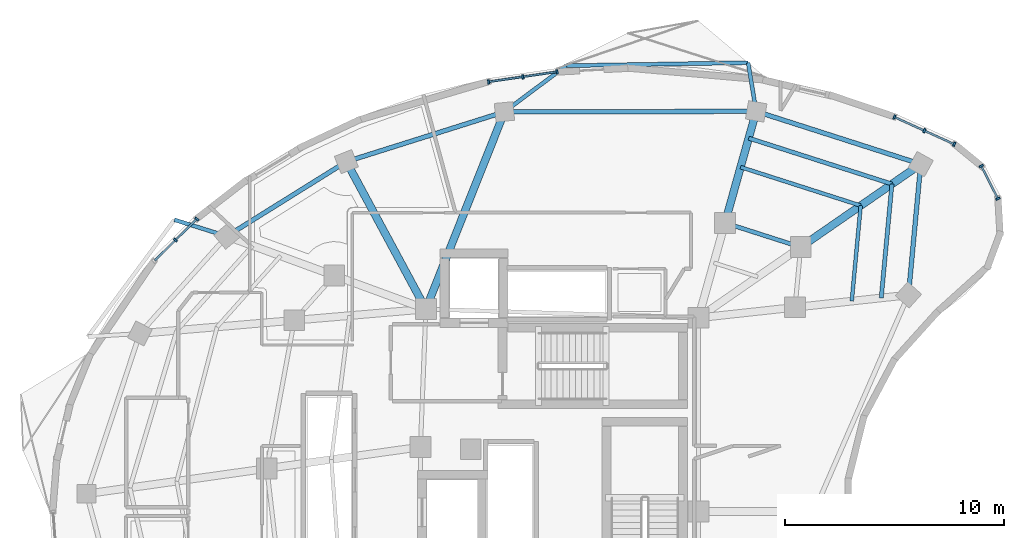
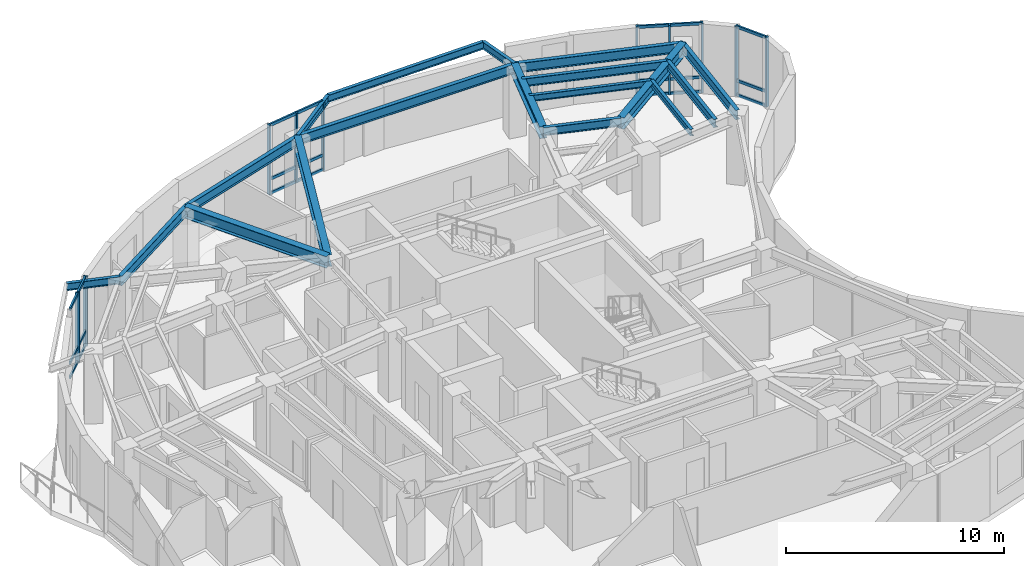
# One storey, part 5 of 14: 31 members, 18 beams, 4 elements without a shape of their own.
"""IFC4 building model written with IfcOpenShell, lengths in metres."""

from ifc_helpers import new_model, si_unit, direction, frame, origin, origin_2d, place, context, subcontext, project, spatial, rectangle, i_section, extrude, material, layer, layer_set, material_profile, profile_set, type_object, element, aggregate, save


model = new_model("IFC4")

# Units and contexts
model_context = context("Model", 3, precision=1e-05, world=origin(), true_north=direction((0.0, 1.0)))
body_context = subcontext(model_context, "Body", "Model", "MODEL_VIEW")
ifc_project = project(units=[si_unit("LENGTHUNIT", "METRE"), si_unit("AREAUNIT", "SQUARE_METRE"), si_unit("VOLUMEUNIT", "CUBIC_METRE"), si_unit("PLANEANGLEUNIT", "RADIAN"), si_unit("MASSUNIT", "GRAM", prefix="KILO")], contexts=[model_context])

# Site, building, storey
site_placement = place(None, origin())
site = spatial("IfcSite", under=ifc_project, at=site_placement, CompositionType="ELEMENT")
building_placement = place(site_placement, origin())
building = spatial("IfcBuilding", under=site, at=building_placement, Name="Korentha Bioscience Tower", CompositionType="ELEMENT")
storey_placement = place(building_placement, frame((0.0, 0.0, 264.60009765625)))
storey = spatial("IfcBuildingStorey", under=building, at=storey_placement, Name="L61", CompositionType="ELEMENT", Elevation=264.60009765625)

# Beam
ifc_material_1 = material(Name="Steel S355", Category="steel")
ifc_material_profile_1 = material_profile(ifc_material_1, i_section(OverallWidth=0.18994140625, OverallDepth=0.45703125, WebThickness=0.009033203125, FlangeThickness=0.014404296875, at=origin_2d()), Name="Steel S355")
ifc_profile_set_1 = profile_set([ifc_material_profile_1], Name="Steel S355 (MB-460)")
beam_type_1 = type_object("IfcBeamType", Name="Mid-Ring Tie Girder W460x74", PredefinedType="BEAM", material=ifc_profile_set_1)
beam_1_placement = place(storey_placement, frame((42.2216796875, 39.08056640625, 3.67138671875), z_axis=(-0.952264747125, 0.305273404318, 0.0), x_axis=(-0.305273404318, -0.952264747125, 0.0)))
element("IfcBeam", 1, at=beam_1_placement, inside=storey, type_object=beam_type_1, Name="L61 Mid-Ring Tie Girder 01", PredefinedType="BEAM", context=body_context, shape_type="SweptSolid", body=[
    extrude(i_section(OverallWidth=0.18994140625, OverallDepth=0.45703125, WebThickness=0.009033203125, FlangeThickness=0.014404296875, at=origin_2d()), origin(), (0.0, 0.0, 1.0), 3.630859375),
])

# Curtain wall, members
ifc_material_2 = material(Name="Thermally Broken Aluminium Frame", Category="aluminium")
ifc_layer = layer(ifc_material_2, 0.219970703125, Name="Thermally Broken Aluminium Frame")
ifc_layer_set = layer_set([ifc_layer], Name="Thermally Broken Aluminium Frame (CW-T1)")
curtain_wall_type = type_object("IfcCurtainWallType", Name="Standard Bioscience Lab Unitised Curtain Wall CW-T1", PredefinedType="USERDEFINED", material=ifc_layer_set)
curtain_wall_1_placement = place(storey_placement, origin())
curtain_wall_1 = element("IfcCurtainWall", 2, at=curtain_wall_1_placement, inside=storey, type_object=curtain_wall_type, Name="L61 Curtain Wall 01", ObjectType="UNITISED", PredefinedType="USERDEFINED")
ifc_material_3 = material(Name="Anodised Aluminium 6063-T6", Category="aluminium")
ifc_material_profile_2 = material_profile(ifc_material_3, rectangle(XDim=0.090087890625, YDim=0.199951171875, at=origin_2d()), Name="Anodised Aluminium 6063-T6")
ifc_profile_set_2 = profile_set([ifc_material_profile_2], Name="Anodised Aluminium 6063-T6 (CW-MUL)")
member_type_1 = type_object("IfcMemberType", Name="Mullion RECT 90x200", PredefinedType="MULLION", material=ifc_profile_set_2)
member_1_placement = place(storey_placement, frame((49.239501953125, 43.780517578125, 0.0), z_axis=(0.0, 0.0, 1.0), x_axis=(-0.910604060449, 0.413279862918, 0.0)))
member_1 = element("IfcMember", 3, at=member_1_placement, type_object=member_type_1, Name="CW-L61-01 Mullion 1", PredefinedType="MULLION", context=body_context, shape_type="SweptSolid", body=[
    extrude(rectangle(XDim=0.090087890625, YDim=0.199951171875, at=origin_2d()), origin(), (0.0, 0.0, 1.0), 3.89990234375),
])
member_2_placement = place(storey_placement, frame((47.870361328125, 44.40185546875, 0.0), z_axis=(0.0, 0.0, 1.0), x_axis=(-0.910604060449, 0.413279862918, 0.0)))
member_2 = element("IfcMember", 4, at=member_2_placement, type_object=member_type_1, Name="CW-L61-01 Mullion 2", PredefinedType="MULLION", context=body_context, shape_type="SweptSolid", body=[
    extrude(rectangle(XDim=0.090087890625, YDim=0.199951171875, at=origin_2d()), origin(), (0.0, 0.0, 1.0), 3.89990234375),
])
member_3_placement = place(storey_placement, frame((46.501220703125, 45.023193359375, 0.0), z_axis=(0.0, 0.0, 1.0), x_axis=(-0.910604060449, 0.413279862918, 0.0)))
member_3 = element("IfcMember", 5, at=member_3_placement, type_object=member_type_1, Name="CW-L61-01 Mullion 3", PredefinedType="MULLION", context=body_context, shape_type="SweptSolid", body=[
    extrude(rectangle(XDim=0.090087890625, YDim=0.199951171875, at=origin_2d()), origin(), (0.0, 0.0, 1.0), 3.89990234375),
])

curtain_wall_2_placement = place(storey_placement, origin())
curtain_wall_2 = element("IfcCurtainWall", 6, at=curtain_wall_2_placement, inside=storey, type_object=curtain_wall_type, Name="L61 Curtain Wall 07", ObjectType="UNITISED", PredefinedType="USERDEFINED")
member_4_placement = place(storey_placement, frame((31.091064453125, 47.087890625, 0.0), z_axis=(0.0, 0.0, 1.0), x_axis=(-0.989459665324, -0.144808738328, 0.0)))
member_4 = element("IfcMember", 7, at=member_4_placement, type_object=member_type_1, Name="CW-L61-07 Mullion 1", PredefinedType="MULLION", context=body_context, shape_type="SweptSolid", body=[
    extrude(rectangle(XDim=0.090087890625, YDim=0.199951171875, at=origin_2d()), origin(), (0.0, 0.0, 1.0), 3.89990234375),
])
member_5_placement = place(storey_placement, frame((29.52880859375, 46.859375, 0.0), z_axis=(0.0, 0.0, 1.0), x_axis=(-0.989459665324, -0.144808738328, 0.0)))
member_5 = element("IfcMember", 8, at=member_5_placement, type_object=member_type_1, Name="CW-L61-07 Mullion 2", PredefinedType="MULLION", context=body_context, shape_type="SweptSolid", body=[
    extrude(rectangle(XDim=0.090087890625, YDim=0.199951171875, at=origin_2d()), origin(), (0.0, 0.0, 1.0), 3.89990234375),
])
member_6_placement = place(storey_placement, frame((27.966552734375, 46.630615234375, 0.0), z_axis=(0.0, 0.0, 1.0), x_axis=(-0.989459665324, -0.144808738328, 0.0)))
member_6 = element("IfcMember", 9, at=member_6_placement, type_object=member_type_1, Name="CW-L61-07 Mullion 3", PredefinedType="MULLION", context=body_context, shape_type="SweptSolid", body=[
    extrude(rectangle(XDim=0.090087890625, YDim=0.199951171875, at=origin_2d()), origin(), (0.0, 0.0, 1.0), 3.89990234375),
])

curtain_wall_3_placement = place(storey_placement, origin())
curtain_wall_3 = element("IfcCurtainWall", 10, at=curtain_wall_3_placement, inside=storey, type_object=curtain_wall_type, Name="L61 Curtain Wall 13", ObjectType="UNITISED", PredefinedType="USERDEFINED")
member_7_placement = place(storey_placement, frame((14.6328125, 40.364990234375, 0.0), z_axis=(0.0, 0.0, 1.0), x_axis=(-0.711397700041, -0.702789664392, 0.0)))
member_7 = element("IfcMember", 11, at=member_7_placement, type_object=member_type_1, Name="CW-L61-13 Mullion 1", PredefinedType="MULLION", context=body_context, shape_type="SweptSolid", body=[
    extrude(rectangle(XDim=0.090087890625, YDim=0.199951171875, at=origin_2d()), origin(), (0.0, 0.0, 1.0), 3.89990234375),
])
member_8_placement = place(storey_placement, frame((13.656494140625, 39.400390625, 0.0), z_axis=(0.0, 0.0, 1.0), x_axis=(-0.711397700041, -0.702789664392, 0.0)))
member_8 = element("IfcMember", 12, at=member_8_placement, type_object=member_type_1, Name="CW-L61-13 Mullion 2", PredefinedType="MULLION", context=body_context, shape_type="SweptSolid", body=[
    extrude(rectangle(XDim=0.090087890625, YDim=0.199951171875, at=origin_2d()), origin(), (0.0, 0.0, 1.0), 3.89990234375),
])

curtain_wall_4_placement = place(storey_placement, origin())
curtain_wall_4 = element("IfcCurtainWall", 13, at=curtain_wall_4_placement, inside=storey, type_object=curtain_wall_type, Name="L61 Curtain Wall 61", ObjectType="UNITISED", PredefinedType="USERDEFINED")
member_9_placement = place(storey_placement, frame((51.231201171875, 41.293212890625, 0.0), z_axis=(0.0, 0.0, 1.0), x_axis=(-0.454238686477, 0.890880023184, 0.0)))
member_9 = element("IfcMember", 14, at=member_9_placement, type_object=member_type_1, Name="CW-L61-61 Mullion 1", PredefinedType="MULLION", context=body_context, shape_type="SweptSolid", body=[
    extrude(rectangle(XDim=0.090087890625, YDim=0.199951171875, at=origin_2d()), origin(), (0.0, 0.0, 1.0), 3.89990234375),
])
member_10_placement = place(storey_placement, frame((50.471923828125, 42.782470703125, 0.0), z_axis=(0.0, 0.0, 1.0), x_axis=(-0.454238686477, 0.890880023184, 0.0)))
member_10 = element("IfcMember", 15, at=member_10_placement, type_object=member_type_1, Name="CW-L61-61 Mullion 2", PredefinedType="MULLION", context=body_context, shape_type="SweptSolid", body=[
    extrude(rectangle(XDim=0.090087890625, YDim=0.199951171875, at=origin_2d()), origin(), (0.0, 0.0, 1.0), 3.89990234375),
])

# Beams
ifc_material_profile_3 = material_profile(ifc_material_1, i_section(OverallWidth=0.208984375, OverallDepth=0.532958984375, WebThickness=0.01025390625, FlangeThickness=0.015625, at=origin_2d()), Name="Steel S355")
ifc_profile_set_3 = profile_set([ifc_material_profile_3], Name="Steel S355 (SB-530)")
beam_type_2 = type_object("IfcBeamType", Name="Perimeter Ring Spandrel Girder W530x92", PredefinedType="SPANDREL", material=ifc_profile_set_3)
beam_2_placement = place(storey_placement, frame((47.7060546875, 42.873046875, 3.63330078125), z_axis=(-0.952281827014, 0.305220120468, 0.0), x_axis=(-0.305220120468, -0.952281827014, 0.0)))
element("IfcBeam", 16, at=beam_2_placement, inside=storey, type_object=beam_type_2, Name="L61 Perimeter Spandrel Girder 01", PredefinedType="SPANDREL", context=body_context, shape_type="SweptSolid", body=[
    extrude(i_section(OverallWidth=0.208984375, OverallDepth=0.532958984375, WebThickness=0.01025390625, FlangeThickness=0.015625, at=origin_2d()), origin(), (0.0, 0.0, 1.0), 7.893310546875),
])
beam_3_placement = place(storey_placement, frame((40.189453125, 45.2822265625, 3.63330078125), z_axis=(-0.999998255351, -0.001867965325, 0.0), x_axis=(0.001867965325, -0.999998255351, 0.0)))
element("IfcBeam", 17, at=beam_3_placement, inside=storey, type_object=beam_type_2, Name="L61 Perimeter Spandrel Girder 02", PredefinedType="SPANDREL", context=body_context, shape_type="SweptSolid", body=[
    extrude(i_section(OverallWidth=0.208984375, OverallDepth=0.532958984375, WebThickness=0.01025390625, FlangeThickness=0.015625, at=origin_2d()), origin(), (0.0, 0.0, 1.0), 11.50146484375),
])
beam_4_placement = place(storey_placement, frame((28.68798828125, 45.2607421875, 3.63330078125), z_axis=(-0.953788154386, -0.300479877118, 0.0), x_axis=(0.300479877118, -0.953788154386, 0.0)))
element("IfcBeam", 18, at=beam_4_placement, inside=storey, type_object=beam_type_2, Name="L61 Perimeter Spandrel Girder 03", PredefinedType="SPANDREL", context=body_context, shape_type="SweptSolid", body=[
    extrude(i_section(OverallWidth=0.208984375, OverallDepth=0.532958984375, WebThickness=0.01025390625, FlangeThickness=0.015625, at=origin_2d()), origin(), (0.0, 0.0, 1.0), 7.5693359375),
])
beam_5_placement = place(storey_placement, frame((21.468505859375, 42.986328125, 3.63330078125), z_axis=(-0.848585501162, -0.529058264482, 0.0), x_axis=(0.529058264482, -0.848585501162, 0.0)))
element("IfcBeam", 19, at=beam_5_placement, inside=storey, type_object=beam_type_2, Name="L61 Perimeter Spandrel Girder 04", PredefinedType="SPANDREL", context=body_context, shape_type="SweptSolid", body=[
    extrude(i_section(OverallWidth=0.208984375, OverallDepth=0.532958984375, WebThickness=0.01025390625, FlangeThickness=0.015625, at=origin_2d()), origin(), (0.0, 0.0, 1.0), 6.441162109375),
])
beam_6_placement = place(storey_placement, frame((47.1455078125, 36.8955078125, 3.63330078125), z_axis=(0.093365902602, 0.995631863809, 0.0), x_axis=(-0.995631863809, 0.093365902602, 0.0)))
element("IfcBeam", 20, at=beam_6_placement, inside=storey, type_object=beam_type_2, Name="L61 Perimeter Spandrel Girder 16", PredefinedType="SPANDREL", context=body_context, shape_type="SweptSolid", body=[
    extrude(i_section(OverallWidth=0.208984375, OverallDepth=0.532958984375, WebThickness=0.01025390625, FlangeThickness=0.015625, at=origin_2d()), origin(), (0.0, 0.0, 1.0), 6.003662109375),
])
ifc_material_profile_4 = material_profile(ifc_material_1, i_section(OverallWidth=0.18994140625, OverallDepth=0.45703125, WebThickness=0.009033203125, FlangeThickness=0.014404296875, at=origin_2d()), Name="Steel S355")
ifc_profile_set_4 = profile_set([ifc_material_profile_4], Name="Steel S355 (RB-460)")
beam_type_3 = type_object("IfcBeamType", Name="Radial Laboratory Beam W460x74", PredefinedType="BEAM", material=ifc_profile_set_4)
beam_7_placement = place(storey_placement, frame((46.389892578125, 41.962890625, 3.67138671875), z_axis=(-0.952283347378, 0.305215376917, 0.0), x_axis=(-0.305215376917, -0.952283347378, 0.0)))
element("IfcBeam", 21, at=beam_7_placement, inside=storey, type_object=beam_type_3, Name="L61 Secondary Floor Beam JSTO-01", PredefinedType="BEAM", context=body_context, shape_type="SweptSolid", body=[
    extrude(i_section(OverallWidth=0.18994140625, OverallDepth=0.45703125, WebThickness=0.009033203125, FlangeThickness=0.014404296875, at=origin_2d()), origin(), (0.0, 0.0, 1.0), 6.870361328125),
])
beam_8_placement = place(storey_placement, frame((45.90185546875, 36.760009765625, 3.67138671875), z_axis=(0.093391362324, 0.995629475982, 0.0), x_axis=(-0.995629475982, 0.093391362324, 0.0)))
element("IfcBeam", 22, at=beam_8_placement, inside=storey, type_object=beam_type_3, Name="L61 Secondary Floor Beam JSTO-16", PredefinedType="BEAM", context=body_context, shape_type="SweptSolid", body=[
    extrude(i_section(OverallWidth=0.18994140625, OverallDepth=0.45703125, WebThickness=0.009033203125, FlangeThickness=0.014404296875, at=origin_2d()), origin(), (0.0, 0.0, 1.0), 5.225830078125),
])
ifc_material_profile_5 = material_profile(ifc_material_1, i_section(OverallWidth=0.35009765625, OverallDepth=0.64990234375, WebThickness=0.01611328125, FlangeThickness=0.02490234375, at=origin_2d()), Name="Steel S355")
ifc_profile_set_5 = profile_set([ifc_material_profile_5], Name="Steel S355 (RB-650)")
beam_type_4 = type_object("IfcBeamType", Name="Radial Laboratory Girder CVS 650x208", PredefinedType="BEAM", material=ifc_profile_set_5)
beam_9_placement = place(storey_placement, frame((42.2216796875, 39.08056640625, 3.574951171875), z_axis=(0.822500508627, 0.568764374155, 0.0), x_axis=(-0.568764374155, 0.822500508627, 0.0)))
element("IfcBeam", 23, at=beam_9_placement, inside=storey, type_object=beam_type_4, Name="L61 Outer Radial Girder 01", PredefinedType="BEAM", context=body_context, shape_type="SweptSolid", body=[
    extrude(i_section(OverallWidth=0.35009765625, OverallDepth=0.64990234375, WebThickness=0.01611328125, FlangeThickness=0.02490234375, at=origin_2d()), origin(), (0.0, 0.0, 1.0), 6.66796875),
])
beam_10_placement = place(storey_placement, frame((38.76416015625, 40.18896484375, 3.574951171875), z_axis=(0.26948609841, 0.963004279723, 0.0), x_axis=(-0.963004279723, 0.26948609841, 0.0)))
element("IfcBeam", 24, at=beam_10_placement, inside=storey, type_object=beam_type_4, Name="L61 Outer Radial Girder 02", PredefinedType="BEAM", context=body_context, shape_type="SweptSolid", body=[
    extrude(i_section(OverallWidth=0.35009765625, OverallDepth=0.64990234375, WebThickness=0.01611328125, FlangeThickness=0.02490234375, at=origin_2d()), origin(), (0.0, 0.0, 1.0), 5.288818359375),
])
beam_11_placement = place(storey_placement, frame((25.10009765625, 36.25, 3.574951171875), z_axis=(0.369931961537, 0.929058848423, 0.0), x_axis=(-0.929058848423, 0.369931961537, 0.0)))
element("IfcBeam", 25, at=beam_11_placement, inside=storey, type_object=beam_type_4, Name="L61 Radial Girder 03", PredefinedType="BEAM", context=body_context, shape_type="SweptSolid", body=[
    extrude(i_section(OverallWidth=0.35009765625, OverallDepth=0.64990234375, WebThickness=0.01611328125, FlangeThickness=0.02490234375, at=origin_2d()), origin(), (0.0, 0.0, 1.0), 9.69873046875),
])
beam_12_placement = place(storey_placement, frame((25.10009765625, 36.25, 3.574951171875), z_axis=(-0.474539218542, 0.880234360875, 0.0), x_axis=(-0.880234360875, -0.474539218542, 0.0)))
element("IfcBeam", 26, at=beam_12_placement, inside=storey, type_object=beam_type_4, Name="L61 Radial Girder 04", PredefinedType="BEAM", context=body_context, shape_type="SweptSolid", body=[
    extrude(i_section(OverallWidth=0.35009765625, OverallDepth=0.64990234375, WebThickness=0.01611328125, FlangeThickness=0.02490234375, at=origin_2d()), origin(), (0.0, 0.0, 1.0), 7.65283203125),
])
ifc_material_profile_6 = material_profile(ifc_material_1, i_section(OverallWidth=0.1708984375, OverallDepth=0.35498046875, WebThickness=0.007080078125, FlangeThickness=0.01171875, at=origin_2d()), Name="Steel S355")
ifc_profile_set_6 = profile_set([ifc_material_profile_6], Name="Steel S355 (JB-360)")
beam_type_5 = type_object("IfcBeamType", Name="Secondary Laboratory Joist W360x51", PredefinedType="JOIST", material=ifc_profile_set_6)
beam_13_placement = place(storey_placement, frame((44.9638671875, 40.976806640625, 3.722412109375), z_axis=(-0.95227644606, 0.30523690845, 0.0), x_axis=(-0.30523690845, -0.95227644606, 0.0)))
element("IfcBeam", 27, at=beam_13_placement, inside=storey, type_object=beam_type_5, Name="L61 Secondary Floor Beam JST-01", PredefinedType="JOIST", context=body_context, shape_type="SweptSolid", body=[
    extrude(i_section(OverallWidth=0.1708984375, OverallDepth=0.35498046875, WebThickness=0.007080078125, FlangeThickness=0.01171875, at=origin_2d()), origin(), (0.0, 0.0, 1.0), 5.761962890625),
])
beam_14_placement = place(storey_placement, frame((44.5546875, 36.61328125, 3.722412109375), z_axis=(0.093363142036, 0.995632122678, 0.0), x_axis=(-0.995632122678, 0.093363142036, 0.0)))
element("IfcBeam", 28, at=beam_14_placement, inside=storey, type_object=beam_type_5, Name="L61 Secondary Floor Beam JST-16", PredefinedType="JOIST", context=body_context, shape_type="SweptSolid", body=[
    extrude(i_section(OverallWidth=0.1708984375, OverallDepth=0.35498046875, WebThickness=0.007080078125, FlangeThickness=0.01171875, at=origin_2d()), origin(), (0.0, 0.0, 1.0), 4.382568359375),
])
ifc_material_profile_7 = material_profile(ifc_material_1, i_section(OverallWidth=0.177978515625, OverallDepth=0.406982421875, WebThickness=0.0078125, FlangeThickness=0.0126953125, at=origin_2d()), Name="Steel S355")
ifc_profile_set_7 = profile_set([ifc_material_profile_7], Name="Steel S355 (CB-410)")
beam_type_6 = type_object("IfcBeamType", Name="Sun-Ledge Cantilever Beam W410x60", PredefinedType="BEAM", material=ifc_profile_set_7)
beam_15_placement = place(storey_placement, frame((40.189453125, 45.2822265625, 3.698486328125), z_axis=(-0.163327525463, 0.986571902816, 0.0), x_axis=(-0.986571902816, -0.163327525463, 0.0)))
element("IfcBeam", 29, at=beam_15_placement, inside=storey, type_object=beam_type_6, Name="L61 Balcony Cantilever Bracket A-L62-01", PredefinedType="BEAM", context=body_context, shape_type="SweptSolid", body=[
    extrude(i_section(OverallWidth=0.177978515625, OverallDepth=0.406982421875, WebThickness=0.0078125, FlangeThickness=0.0126953125, at=origin_2d()), origin(), (0.0, 0.0, 1.0), 2.254150390625),
])
beam_16_placement = place(storey_placement, frame((28.68798828125, 45.2607421875, 3.698486328125), z_axis=(0.800756769603, 0.598989645933, 0.0), x_axis=(-0.598989645933, 0.800756769603, 0.0)))
element("IfcBeam", 30, at=beam_16_placement, inside=storey, type_object=beam_type_6, Name="L61 Balcony Cantilever Bracket B-L62-01", PredefinedType="BEAM", context=body_context, shape_type="SweptSolid", body=[
    extrude(i_section(OverallWidth=0.177978515625, OverallDepth=0.406982421875, WebThickness=0.0078125, FlangeThickness=0.0126953125, at=origin_2d()), origin(), (0.0, 0.0, 1.0), 3.52001953125),
])
beam_17_placement = place(storey_placement, frame((39.8212890625, 47.506103515625, 3.698486328125), z_axis=(-0.999864357877, -0.016470150183, 0.0), x_axis=(0.016470150183, -0.999864357877, 0.0)))
element("IfcBeam", 31, at=beam_17_placement, inside=storey, type_object=beam_type_6, Name="L61 Balcony Edge Trimmer Beam L62-01", PredefinedType="BEAM", context=body_context, shape_type="SweptSolid", body=[
    extrude(i_section(OverallWidth=0.177978515625, OverallDepth=0.406982421875, WebThickness=0.0078125, FlangeThickness=0.0126953125, at=origin_2d()), origin(), (0.0, 0.0, 1.0), 8.31591796875),
])
beam_18_placement = place(storey_placement, frame((16.002685546875, 39.57861328125, 3.698486328125), z_axis=(-0.954143215351, 0.299350504592, 0.0), x_axis=(-0.299350504592, -0.954143215351, 0.0)))
element("IfcBeam", 32, at=beam_18_placement, inside=storey, type_object=beam_type_6, Name="L61 Balcony Cantilever Bracket A-L62-02", PredefinedType="BEAM", context=body_context, shape_type="SweptSolid", body=[
    extrude(i_section(OverallWidth=0.177978515625, OverallDepth=0.406982421875, WebThickness=0.0078125, FlangeThickness=0.0126953125, at=origin_2d()), origin(), (0.0, 0.0, 1.0), 2.507080078125),
])

# Member
ifc_material_profile_8 = material_profile(ifc_material_3, rectangle(XDim=0.090087890625, YDim=0.159912109375, at=origin_2d()), Name="Anodised Aluminium 6063-T6")
ifc_profile_set_8 = profile_set([ifc_material_profile_8], Name="Anodised Aluminium 6063-T6 (CW-TRN)")
member_type_2 = type_object("IfcMemberType", Name="Transom RECT 90x160", PredefinedType="USERDEFINED", material=ifc_profile_set_8)
member_11_placement = place(storey_placement, frame((49.198486328125, 43.799072265625, 0.044921875), z_axis=(-0.910585208958, 0.41332139701, 0.0), x_axis=(-0.41332139701, -0.910585208958, 0.0)))
member_11 = element("IfcMember", 33, at=member_11_placement, type_object=member_type_2, Name="CW-L61-01 Bay 1 Transom 1", ObjectType="TRANSOM", PredefinedType="USERDEFINED", context=body_context, shape_type="SweptSolid", body=[
    extrude(rectangle(XDim=0.090087890625, YDim=0.159912109375, at=origin_2d()), origin(), (0.0, 0.0, 1.0), 1.41357421875),
])

member_12_placement = place(storey_placement, frame((49.198486328125, 43.799072265625, 0.849853515625), z_axis=(-0.910585208958, 0.41332139701, 0.0), x_axis=(-0.41332139701, -0.910585208958, 0.0)))
member_12 = element("IfcMember", 34, at=member_12_placement, type_object=member_type_2, Name="CW-L61-01 Bay 1 Transom 2", ObjectType="TRANSOM", PredefinedType="USERDEFINED", context=body_context, shape_type="SweptSolid", body=[
    extrude(rectangle(XDim=0.090087890625, YDim=0.159912109375, at=origin_2d()), origin(), (0.0, 0.0, 1.0), 1.41357421875),
])

member_13_placement = place(storey_placement, frame((49.198486328125, 43.799072265625, 3.85498046875), z_axis=(-0.910585208958, 0.41332139701, 0.0), x_axis=(-0.41332139701, -0.910585208958, 0.0)))
member_13 = element("IfcMember", 35, at=member_13_placement, type_object=member_type_2, Name="CW-L61-01 Bay 1 Transom 3", ObjectType="TRANSOM", PredefinedType="USERDEFINED", context=body_context, shape_type="SweptSolid", body=[
    extrude(rectangle(XDim=0.090087890625, YDim=0.159912109375, at=origin_2d()), origin(), (0.0, 0.0, 1.0), 1.41357421875),
])

member_14_placement = place(storey_placement, frame((47.829345703125, 44.42041015625, 0.044921875), z_axis=(-0.910585208958, 0.41332139701, 0.0), x_axis=(-0.41332139701, -0.910585208958, 0.0)))
member_14 = element("IfcMember", 36, at=member_14_placement, type_object=member_type_2, Name="CW-L61-01 Bay 2 Transom 1", ObjectType="TRANSOM", PredefinedType="USERDEFINED", context=body_context, shape_type="SweptSolid", body=[
    extrude(rectangle(XDim=0.090087890625, YDim=0.159912109375, at=origin_2d()), origin(), (0.0, 0.0, 1.0), 1.41357421875),
])

member_15_placement = place(storey_placement, frame((47.829345703125, 44.42041015625, 0.849853515625), z_axis=(-0.910585208958, 0.41332139701, 0.0), x_axis=(-0.41332139701, -0.910585208958, 0.0)))
member_15 = element("IfcMember", 37, at=member_15_placement, type_object=member_type_2, Name="CW-L61-01 Bay 2 Transom 2", ObjectType="TRANSOM", PredefinedType="USERDEFINED", context=body_context, shape_type="SweptSolid", body=[
    extrude(rectangle(XDim=0.090087890625, YDim=0.159912109375, at=origin_2d()), origin(), (0.0, 0.0, 1.0), 1.41357421875),
])

member_16_placement = place(storey_placement, frame((47.829345703125, 44.42041015625, 3.85498046875), z_axis=(-0.910585208958, 0.41332139701, 0.0), x_axis=(-0.41332139701, -0.910585208958, 0.0)))
member_16 = element("IfcMember", 38, at=member_16_placement, type_object=member_type_2, Name="CW-L61-01 Bay 2 Transom 3", ObjectType="TRANSOM", PredefinedType="USERDEFINED", context=body_context, shape_type="SweptSolid", body=[
    extrude(rectangle(XDim=0.090087890625, YDim=0.159912109375, at=origin_2d()), origin(), (0.0, 0.0, 1.0), 1.41357421875),
])

aggregate(curtain_wall_1, [member_1, member_2, member_3, member_11, member_12, member_13, member_14, member_15, member_16])

member_17_placement = place(storey_placement, frame((31.04638671875, 47.08154296875, 0.044921875), z_axis=(-0.989461637153, -0.144795264436, 0.0), x_axis=(0.144795264436, -0.989461637153, 0.0)))
member_17 = element("IfcMember", 39, at=member_17_placement, type_object=member_type_2, Name="CW-L61-07 Bay 1 Transom 1", ObjectType="TRANSOM", PredefinedType="USERDEFINED", context=body_context, shape_type="SweptSolid", body=[
    extrude(rectangle(XDim=0.090087890625, YDim=0.159912109375, at=origin_2d()), origin(), (0.0, 0.0, 1.0), 1.48876953125),
])

member_18_placement = place(storey_placement, frame((31.04638671875, 47.08154296875, 0.849853515625), z_axis=(-0.989461637153, -0.144795264436, 0.0), x_axis=(0.144795264436, -0.989461637153, 0.0)))
member_18 = element("IfcMember", 40, at=member_18_placement, type_object=member_type_2, Name="CW-L61-07 Bay 1 Transom 2", ObjectType="TRANSOM", PredefinedType="USERDEFINED", context=body_context, shape_type="SweptSolid", body=[
    extrude(rectangle(XDim=0.090087890625, YDim=0.159912109375, at=origin_2d()), origin(), (0.0, 0.0, 1.0), 1.48876953125),
])

member_19_placement = place(storey_placement, frame((31.04638671875, 47.08154296875, 3.85498046875), z_axis=(-0.989461637153, -0.144795264436, 0.0), x_axis=(0.144795264436, -0.989461637153, 0.0)))
member_19 = element("IfcMember", 41, at=member_19_placement, type_object=member_type_2, Name="CW-L61-07 Bay 1 Transom 3", ObjectType="TRANSOM", PredefinedType="USERDEFINED", context=body_context, shape_type="SweptSolid", body=[
    extrude(rectangle(XDim=0.090087890625, YDim=0.159912109375, at=origin_2d()), origin(), (0.0, 0.0, 1.0), 1.48876953125),
])

member_20_placement = place(storey_placement, frame((29.484130859375, 46.852783203125, 0.044921875), z_axis=(-0.989461637153, -0.144795264436, 0.0), x_axis=(0.144795264436, -0.989461637153, 0.0)))
member_20 = element("IfcMember", 42, at=member_20_placement, type_object=member_type_2, Name="CW-L61-07 Bay 2 Transom 1", ObjectType="TRANSOM", PredefinedType="USERDEFINED", context=body_context, shape_type="SweptSolid", body=[
    extrude(rectangle(XDim=0.090087890625, YDim=0.159912109375, at=origin_2d()), origin(), (0.0, 0.0, 1.0), 1.48876953125),
])

member_21_placement = place(storey_placement, frame((29.484130859375, 46.852783203125, 0.849853515625), z_axis=(-0.989461637153, -0.144795264436, 0.0), x_axis=(0.144795264436, -0.989461637153, 0.0)))
member_21 = element("IfcMember", 43, at=member_21_placement, type_object=member_type_2, Name="CW-L61-07 Bay 2 Transom 2", ObjectType="TRANSOM", PredefinedType="USERDEFINED", context=body_context, shape_type="SweptSolid", body=[
    extrude(rectangle(XDim=0.090087890625, YDim=0.159912109375, at=origin_2d()), origin(), (0.0, 0.0, 1.0), 1.48876953125),
])

member_22_placement = place(storey_placement, frame((29.484130859375, 46.852783203125, 3.85498046875), z_axis=(-0.989461637153, -0.144795264436, 0.0), x_axis=(0.144795264436, -0.989461637153, 0.0)))
member_22 = element("IfcMember", 44, at=member_22_placement, type_object=member_type_2, Name="CW-L61-07 Bay 2 Transom 3", ObjectType="TRANSOM", PredefinedType="USERDEFINED", context=body_context, shape_type="SweptSolid", body=[
    extrude(rectangle(XDim=0.090087890625, YDim=0.159912109375, at=origin_2d()), origin(), (0.0, 0.0, 1.0), 1.48876953125),
])

aggregate(curtain_wall_2, [member_4, member_5, member_6, member_17, member_18, member_19, member_20, member_21, member_22])

member_23_placement = place(storey_placement, frame((14.600830078125, 40.333251953125, 0.044921875), z_axis=(-0.711378065159, -0.702809539214, 0.0), x_axis=(0.702809539214, -0.711378065159, 0.0)))
member_23 = element("IfcMember", 45, at=member_23_placement, type_object=member_type_2, Name="CW-L61-13 Bay 1 Transom 1", ObjectType="TRANSOM", PredefinedType="USERDEFINED", context=body_context, shape_type="SweptSolid", body=[
    extrude(rectangle(XDim=0.090087890625, YDim=0.159912109375, at=origin_2d()), origin(), (0.0, 0.0, 1.0), 1.2822265625),
])

member_24_placement = place(storey_placement, frame((14.600830078125, 40.333251953125, 0.849853515625), z_axis=(-0.711378065159, -0.702809539214, 0.0), x_axis=(0.702809539214, -0.711378065159, 0.0)))
member_24 = element("IfcMember", 46, at=member_24_placement, type_object=member_type_2, Name="CW-L61-13 Bay 1 Transom 2", ObjectType="TRANSOM", PredefinedType="USERDEFINED", context=body_context, shape_type="SweptSolid", body=[
    extrude(rectangle(XDim=0.090087890625, YDim=0.159912109375, at=origin_2d()), origin(), (0.0, 0.0, 1.0), 1.2822265625),
])

member_25_placement = place(storey_placement, frame((14.600830078125, 40.333251953125, 3.85498046875), z_axis=(-0.711378065159, -0.702809539214, 0.0), x_axis=(0.702809539214, -0.711378065159, 0.0)))
member_25 = element("IfcMember", 47, at=member_25_placement, type_object=member_type_2, Name="CW-L61-13 Bay 1 Transom 3", ObjectType="TRANSOM", PredefinedType="USERDEFINED", context=body_context, shape_type="SweptSolid", body=[
    extrude(rectangle(XDim=0.090087890625, YDim=0.159912109375, at=origin_2d()), origin(), (0.0, 0.0, 1.0), 1.2822265625),
])

member_26_placement = place(storey_placement, frame((13.62451171875, 39.368896484375, 0.044921875), z_axis=(-0.711378065159, -0.702809539214, 0.0), x_axis=(0.702809539214, -0.711378065159, 0.0)))
member_26 = element("IfcMember", 48, at=member_26_placement, type_object=member_type_2, Name="CW-L61-13 Bay 2 Transom 1", ObjectType="TRANSOM", PredefinedType="USERDEFINED", context=body_context, shape_type="SweptSolid", body=[
    extrude(rectangle(XDim=0.090087890625, YDim=0.159912109375, at=origin_2d()), origin(), (0.0, 0.0, 1.0), 1.2822265625),
])

member_27_placement = place(storey_placement, frame((13.62451171875, 39.368896484375, 0.849853515625), z_axis=(-0.711378065159, -0.702809539214, 0.0), x_axis=(0.702809539214, -0.711378065159, 0.0)))
member_27 = element("IfcMember", 49, at=member_27_placement, type_object=member_type_2, Name="CW-L61-13 Bay 2 Transom 2", ObjectType="TRANSOM", PredefinedType="USERDEFINED", context=body_context, shape_type="SweptSolid", body=[
    extrude(rectangle(XDim=0.090087890625, YDim=0.159912109375, at=origin_2d()), origin(), (0.0, 0.0, 1.0), 1.2822265625),
])

member_28_placement = place(storey_placement, frame((13.62451171875, 39.368896484375, 3.85498046875), z_axis=(-0.711378065159, -0.702809539214, 0.0), x_axis=(0.702809539214, -0.711378065159, 0.0)))
member_28 = element("IfcMember", 50, at=member_28_placement, type_object=member_type_2, Name="CW-L61-13 Bay 2 Transom 3", ObjectType="TRANSOM", PredefinedType="USERDEFINED", context=body_context, shape_type="SweptSolid", body=[
    extrude(rectangle(XDim=0.090087890625, YDim=0.159912109375, at=origin_2d()), origin(), (0.0, 0.0, 1.0), 1.2822265625),
])

aggregate(curtain_wall_3, [member_7, member_8, member_23, member_24, member_25, member_26, member_27, member_28])

member_29_placement = place(storey_placement, frame((51.210693359375, 41.333251953125, 0.044921875), z_axis=(-0.454177837113, 0.890911046219, 0.0), x_axis=(-0.890911046219, -0.454177837113, 0.0)))
member_29 = element("IfcMember", 51, at=member_29_placement, type_object=member_type_2, Name="CW-L61-61 Bay 1 Transom 1", ObjectType="TRANSOM", PredefinedType="USERDEFINED", context=body_context, shape_type="SweptSolid", body=[
    extrude(rectangle(XDim=0.090087890625, YDim=0.159912109375, at=origin_2d()), origin(), (0.0, 0.0, 1.0), 1.58154296875),
])

member_30_placement = place(storey_placement, frame((51.210693359375, 41.333251953125, 0.849853515625), z_axis=(-0.454177837113, 0.890911046219, 0.0), x_axis=(-0.890911046219, -0.454177837113, 0.0)))
member_30 = element("IfcMember", 52, at=member_30_placement, type_object=member_type_2, Name="CW-L61-61 Bay 1 Transom 2", ObjectType="TRANSOM", PredefinedType="USERDEFINED", context=body_context, shape_type="SweptSolid", body=[
    extrude(rectangle(XDim=0.090087890625, YDim=0.159912109375, at=origin_2d()), origin(), (0.0, 0.0, 1.0), 1.58154296875),
])

member_31_placement = place(storey_placement, frame((51.210693359375, 41.333251953125, 3.85498046875), z_axis=(-0.454177837113, 0.890911046219, 0.0), x_axis=(-0.890911046219, -0.454177837113, 0.0)))
member_31 = element("IfcMember", 53, at=member_31_placement, type_object=member_type_2, Name="CW-L61-61 Bay 1 Transom 3", ObjectType="TRANSOM", PredefinedType="USERDEFINED", context=body_context, shape_type="SweptSolid", body=[
    extrude(rectangle(XDim=0.090087890625, YDim=0.159912109375, at=origin_2d()), origin(), (0.0, 0.0, 1.0), 1.58154296875),
])

aggregate(curtain_wall_4, [member_9, member_10, member_29, member_30, member_31])

save(model, "model.ifc")
